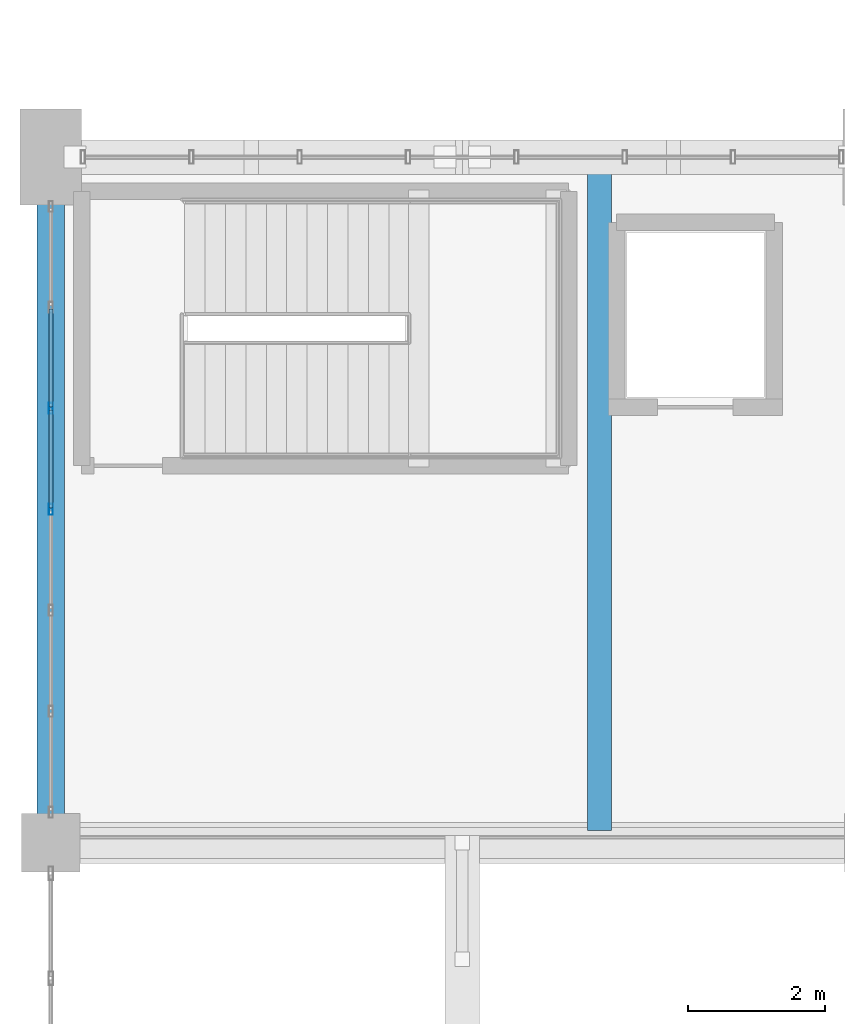
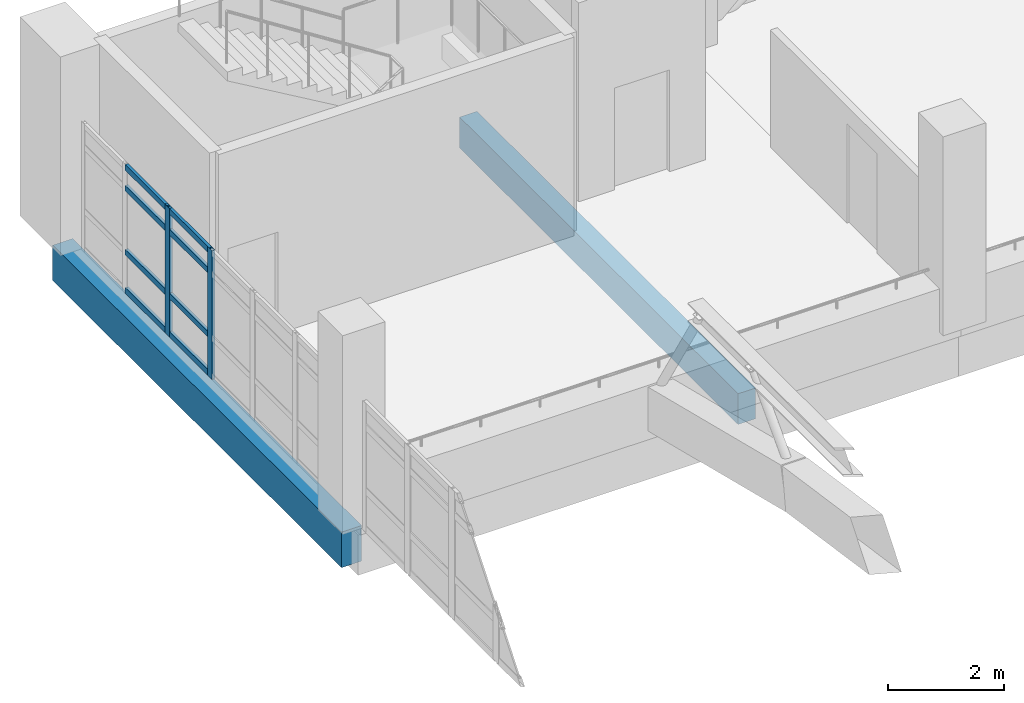
# One storey, part 27 of 161: 10 members, 2 beams, 1 element without a shape of its own.
"""IFC4 building model written with IfcOpenShell, lengths in metres."""

import ifcopenshell
import ifcopenshell.guid

model = None  # the IFC model being written
_history = None  # IfcOwnerHistory: only IFC2X3 demands one
_inside = {}  # id of a spatial element -> (the spatial element, [elements in it])
_under = {}  # id of a project, library or spatial element -> (it, [spatial elements below it])
_declared = {}  # id of a project -> (the project, [libraries it declares])
_typed = {}  # id of a type object -> (the type object, [elements of that type])
_made_of = {}  # id of a material, layer set ... -> (it, [elements and type objects made of it])


def new_model(schema):
    """Start an empty IFC model of exactly this schema.

    Asked for "IFC4X3", IfcOpenShell would pick the latest addendum, in which some entities
    have other attributes; the version numbers below select the first issue.
    IFC2X3 requires an IfcOwnerHistory on every rooted entity: one is made here for all.
    """
    global model, _history
    if schema == "IFC4X3":
        model = ifcopenshell.file(schema_version=(4, 3, 0, 0))
    else:
        model = ifcopenshell.file(schema=schema)
    _inside.clear()
    _under.clear()
    _declared.clear()
    _typed.clear()
    _made_of.clear()
    _history = None
    if model.schema == "IFC2X3":
        org = make("IfcOrganization", Name="unknown")
        user = make(
            "IfcPersonAndOrganization",
            ThePerson=make("IfcPerson", FamilyName="unknown"),
            TheOrganization=org,
        )
        app = make(
            "IfcApplication",
            ApplicationDeveloper=org,
            Version="unknown",
            ApplicationFullName="unknown",
            ApplicationIdentifier="unknown",
        )
        _history = make(
            "IfcOwnerHistory",
            OwningUser=user,
            OwningApplication=app,
            ChangeAction="ADDED",
            CreationDate=0,
        )
    return model


def make(cls, **values):
    """One entity of the class cls with the attributes given. An attribute that is None is left unset."""
    return model.create_entity(
        cls, **{name: value for name, value in values.items() if value is not None}
    )


def rooted(cls, **values):
    """An entity with a GlobalId (a new one), such as an element, a storey or a relation."""
    return make(cls, GlobalId=ifcopenshell.guid.new(), OwnerHistory=_history, **values)


def si_unit(unit_type, name, prefix=None):
    """IfcSIUnit, for example si_unit("LENGTHUNIT", "METRE", prefix="MILLI")."""
    return make("IfcSIUnit", UnitType=unit_type, Prefix=prefix, Name=name)


def assignment(units):
    """IfcUnitAssignment: the units of a project."""
    return None if units is None else make("IfcUnitAssignment", Units=units)


def point(xyz):
    """IfcCartesianPoint."""
    return None if xyz is None else make("IfcCartesianPoint", Coordinates=xyz)


def direction(xyz):
    """IfcDirection."""
    return None if xyz is None else make("IfcDirection", DirectionRatios=xyz)


def frame(location, z_axis=None, x_axis=None):
    """IfcAxis2Placement3D, a coordinate frame: its origin and axes. An axis left out is left unset."""
    return make(
        "IfcAxis2Placement3D",
        Location=point(location),
        Axis=direction(z_axis),
        RefDirection=direction(x_axis),
    )


def frame_2d(location, x_axis=None):
    """IfcAxis2Placement2D, a coordinate frame in the plane: its origin and x axis."""
    return make(
        "IfcAxis2Placement2D", Location=point(location), RefDirection=direction(x_axis)
    )


def origin():
    """The frame at (0, 0, 0) with its axes left unset."""
    return frame((0.0, 0.0, 0.0))


def origin_2d():
    """The frame at (0, 0) in the plane with its x axis left unset."""
    return frame_2d((0.0, 0.0))


def place(relative_to, where):
    """IfcLocalPlacement: puts the frame where relative to a parent placement (None: the world)."""
    return make(
        "IfcLocalPlacement", PlacementRelTo=relative_to, RelativePlacement=where
    )


def context(
    kind, dimensions, precision=None, world=None, true_north=None, identifier=None
):
    """IfcGeometricRepresentationContext, for example the 3D "Model" context."""
    return make(
        "IfcGeometricRepresentationContext",
        ContextIdentifier=identifier,
        ContextType=kind,
        CoordinateSpaceDimension=dimensions,
        Precision=precision,
        WorldCoordinateSystem=world,
        TrueNorth=true_north,
    )


def subcontext(parent, identifier, kind, view, scale=None):
    """IfcGeometricRepresentationSubContext, for example "Body" below "Model"."""
    return make(
        "IfcGeometricRepresentationSubContext",
        ContextIdentifier=identifier,
        ContextType=kind,
        ParentContext=parent,
        TargetScale=scale,
        TargetView=view,
    )


def project(units=None, contexts=None):
    """IfcProject with its units and contexts."""
    return rooted(
        "IfcProject",
        Name="project",
        RepresentationContexts=contexts,
        UnitsInContext=assignment(units),
    )


def spatial(cls, under=None, at=None, **own):
    """A site, building, storey or space (cls), placed at a placement, below another one or the project."""
    s = rooted(cls, ObjectPlacement=at, **own)
    if under is not None:
        _under.setdefault(under.id(), (under, []))[1].append(s)
    return s


def profile(cls, at=None, kind="AREA", **sizes):
    """A parametric profile (cls). Its sizes go by their IFC names, for example OverallWidth=200.0."""
    return make(cls, ProfileType=kind, Position=at, **sizes)


def rectangle(**sizes):
    """IfcRectangleProfileDef."""
    return profile("IfcRectangleProfileDef", **sizes)


def hollow_rectangle(**sizes):
    """IfcRectangleHollowProfileDef."""
    return profile("IfcRectangleHollowProfileDef", **sizes)


def extrude(swept, where, along, depth):
    """IfcExtrudedAreaSolid: the profile swept, set in the frame where, extruded along a direction by depth."""
    return make(
        "IfcExtrudedAreaSolid",
        SweptArea=swept,
        Position=where,
        ExtrudedDirection=direction(along),
        Depth=depth,
    )


def shape(context_of_items, identifier, shape_type, items):
    """IfcShapeRepresentation: the items that make up one representation, for example the "Body"."""
    return make(
        "IfcShapeRepresentation",
        ContextOfItems=context_of_items,
        RepresentationIdentifier=identifier,
        RepresentationType=shape_type,
        Items=items,
    )


def material(Name=None, Category=None):
    """IfcMaterial."""
    return make("IfcMaterial", Name=Name, Category=Category)


def layer(
    of_material, thickness, ventilated=None, Name=None, Category=None, Priority=None
):
    """IfcMaterialLayer: one layer of a wall or slab, of a material (None: an air gap)."""
    return make(
        "IfcMaterialLayer",
        Material=of_material,
        LayerThickness=thickness,
        IsVentilated=ventilated,
        Name=Name,
        Category=Category,
        Priority=Priority,
    )


def layer_set(layers, Name=None):
    """IfcMaterialLayerSet."""
    return make("IfcMaterialLayerSet", MaterialLayers=layers, LayerSetName=Name)


def material_profile(
    of_material, cross_section, Name=None, Category=None, Priority=None
):
    """IfcMaterialProfile: a cross section and its material."""
    return make(
        "IfcMaterialProfile",
        Name=Name,
        Material=of_material,
        Profile=cross_section,
        Priority=Priority,
        Category=Category,
    )


def profile_set(profiles, Name=None, composite=None):
    """IfcMaterialProfileSet."""
    return make(
        "IfcMaterialProfileSet",
        Name=Name,
        MaterialProfiles=profiles,
        CompositeProfile=composite,
    )


def made_of(thing, what):
    """Note that an element or type object is made of a material, layer set ...; save() writes the relation."""
    if what is not None:
        _made_of.setdefault(what.id(), (what, []))[1].append(thing)
    return thing


def type_object(cls, material=None, **own):
    """A type object (cls), such as IfcWallType, which elements share."""
    return made_of(rooted(cls, **own), material)


def element(
    cls,
    number,
    at=None,
    inside=None,
    cuts=None,
    type_object=None,
    material=None,
    context=None,
    identifier="Body",
    shape_type=None,
    held_by="IfcProductDefinitionShape",
    body=None,
    shapes=None,
    **own,
):
    """One element of the class cls, such as IfcWall. Its Tag is "e" and its number.

    at: its placement. inside: the storey or other place that contains it. cuts: it is an
    opening in that element (IfcRelVoidsElement). A single representation is given by context,
    identifier, shape_type and body (its items); several are given by shapes. held_by: the class
    of the entity that holds the representations. save() writes the other relations.
    """
    e = rooted(cls, Tag="e%d" % number, ObjectPlacement=at, **own)
    if body is not None:
        shapes = [shape(context, identifier, shape_type, body)]
    if shapes is not None:
        e.Representation = make(held_by, Representations=shapes)
    if inside is not None:
        _inside.setdefault(inside.id(), (inside, []))[1].append(e)
    if cuts is not None:
        rooted(
            "IfcRelVoidsElement", RelatingBuildingElement=cuts, RelatedOpeningElement=e
        )
    if type_object is not None:
        _typed.setdefault(type_object.id(), (type_object, []))[1].append(e)
    return made_of(e, material)


def aggregate(whole, parts):
    """IfcRelAggregates: a whole, such as a stair, and the parts it consists of."""
    return rooted("IfcRelAggregates", RelatingObject=whole, RelatedObjects=parts)


def save(model, path):
    """Write the relations noted so far, then the file.

    IfcRelAggregates (storeys below a building ...), IfcRelContainedInSpatialStructure (elements
    in a storey), IfcRelDefinesByType, IfcRelAssociatesMaterial and IfcRelDeclares: one each for
    every whole, place, type object, material and project.
    """
    for whole, parts in _under.values():
        aggregate(whole, parts)
    for where, things in _inside.values():
        rooted(
            "IfcRelContainedInSpatialStructure",
            RelatedElements=things,
            RelatingStructure=where,
        )
    for kind, things in _typed.values():
        rooted("IfcRelDefinesByType", RelatedObjects=things, RelatingType=kind)
    for what, things in _made_of.values():
        rooted("IfcRelAssociatesMaterial", RelatedObjects=things, RelatingMaterial=what)
    for by, libraries in _declared.values():
        rooted("IfcRelDeclares", RelatingContext=by, RelatedDefinitions=libraries)
    model.write(path)


model = new_model("IFC4")

# Units and contexts
model_context = context("Model", 3, precision=1e-05, world=origin(), true_north=direction((0.0, 1.0)))
body_context = subcontext(model_context, "Body", "Model", "MODEL_VIEW")
ifc_project = project(units=[si_unit("LENGTHUNIT", "METRE"), si_unit("AREAUNIT", "SQUARE_METRE"), si_unit("VOLUMEUNIT", "CUBIC_METRE"), si_unit("PLANEANGLEUNIT", "RADIAN"), si_unit("MASSUNIT", "GRAM", prefix="KILO")], contexts=[model_context])

# Site, building, storey
site_placement = place(None, origin())
site = spatial("IfcSite", under=ifc_project, at=site_placement, CompositionType="ELEMENT")
building_placement = place(site_placement, origin())
building = spatial("IfcBuilding", under=site, at=building_placement, Name="Mersad Railyard Sports Hall", CompositionType="ELEMENT")
storey_placement = place(building_placement, frame((0.0, 0.0, 4.800048828125)))
storey = spatial("IfcBuildingStorey", under=building, at=storey_placement, Name="L01", CompositionType="ELEMENT", Elevation=4.800048828125)

# Curtain wall, members
ifc_material_1 = material(Name="Aluminium 6063-T6", Category="aluminium")
ifc_layer = layer(ifc_material_1, 0.159912109375)
ifc_layer_set = layer_set([ifc_layer], Name="Aluminium 6063-T6")
curtain_wall_type = type_object("IfcCurtainWallType", Name="ARC-CW-CW03", PredefinedType="USERDEFINED", material=ifc_layer_set)
curtain_wall_placement = place(storey_placement, origin())
curtain_wall = element("IfcCurtainWall", 1, at=curtain_wall_placement, inside=storey, type_object=curtain_wall_type, Name="Curtain wall CW03-0025", ObjectType="CURTAIN WALL", PredefinedType="USERDEFINED")
ifc_material_profile_1 = material_profile(ifc_material_1, hollow_rectangle(XDim=0.06005859375, YDim=0.159912109375, WallThickness=0.00390625, at=origin_2d()), Name="AL MULLION 60x160x4")
ifc_profile_set_1 = profile_set([ifc_material_profile_1], Name="Aluminium 6063-T6")
member_type_1 = type_object("IfcMemberType", Name="ARC-CW-MUL01", PredefinedType="MULLION", material=ifc_profile_set_1)
member_1_placement = place(storey_placement, frame((7.0, 48.362548828125, -0.02001953125), z_axis=(0.0, 0.0, 1.0), x_axis=(1.0, 0.0, 0.0)))
member_1 = element("IfcMember", 2, at=member_1_placement, type_object=member_type_1, Name="CW03 Mullion 4", PredefinedType="MULLION", context=body_context, shape_type="SweptSolid", body=[
    extrude(hollow_rectangle(XDim=0.06005859375, YDim=0.159912109375, WallThickness=0.00390625, at=origin_2d()), origin(), (0.0, 0.0, 1.0), 2.719970703125),
])
member_2_placement = place(storey_placement, frame((7.0, 49.8349609375, -0.02001953125), z_axis=(0.0, 0.0, 1.0), x_axis=(1.0, 0.0, 0.0)))
member_2 = element("IfcMember", 3, at=member_2_placement, type_object=member_type_1, Name="CW03 Mullion 5", PredefinedType="MULLION", context=body_context, shape_type="SweptSolid", body=[
    extrude(hollow_rectangle(XDim=0.06005859375, YDim=0.159912109375, WallThickness=0.00390625, at=origin_2d()), origin(), (0.0, 0.0, 1.0), 2.719970703125),
])
ifc_material_profile_2 = material_profile(ifc_material_1, hollow_rectangle(XDim=0.06005859375, YDim=0.1201171875, WallThickness=0.00390625, at=origin_2d()), Name="AL TRANSOM 60x120x4")
ifc_profile_set_2 = profile_set([ifc_material_profile_2], Name="Aluminium 6063-T6")
member_type_2 = type_object("IfcMemberType", Name="ARC-CW-TRN01", PredefinedType="USERDEFINED", material=ifc_profile_set_2)
member_3_placement = place(storey_placement, frame((7.0, 48.382568359375, 0.0400390625), z_axis=(0.0, 1.0, 0.0), x_axis=(-1.0, 0.0, 0.0)))
member_3 = element("IfcMember", 4, at=member_3_placement, type_object=member_type_2, Name="CW03 Transom 1-4", ObjectType="TRANSOM", PredefinedType="USERDEFINED", context=body_context, shape_type="SweptSolid", body=[
    extrude(hollow_rectangle(XDim=0.06005859375, YDim=0.1201171875, WallThickness=0.00390625, at=origin_2d()), origin(), (0.0, 0.0, 1.0), 1.432373046875),
])
member_4_placement = place(storey_placement, frame((7.0, 49.85498046875, 0.0400390625), z_axis=(0.0, 1.0, 0.0), x_axis=(-1.0, 0.0, 0.0)))
member_4 = element("IfcMember", 5, at=member_4_placement, type_object=member_type_2, Name="CW03 Transom 1-5", ObjectType="TRANSOM", PredefinedType="USERDEFINED", context=body_context, shape_type="SweptSolid", body=[
    extrude(hollow_rectangle(XDim=0.06005859375, YDim=0.1201171875, WallThickness=0.00390625, at=origin_2d()), origin(), (0.0, 0.0, 1.0), 1.4326171875),
])
member_5_placement = place(storey_placement, frame((7.0, 48.382568359375, 0.849853515625), z_axis=(0.0, 1.0, 0.0), x_axis=(-1.0, 0.0, 0.0)))
member_5 = element("IfcMember", 6, at=member_5_placement, type_object=member_type_2, Name="CW03 Transom 2-4", ObjectType="TRANSOM", PredefinedType="USERDEFINED", context=body_context, shape_type="SweptSolid", body=[
    extrude(hollow_rectangle(XDim=0.06005859375, YDim=0.1201171875, WallThickness=0.00390625, at=origin_2d()), origin(), (0.0, 0.0, 1.0), 1.432373046875),
])
member_6_placement = place(storey_placement, frame((7.0, 49.85498046875, 0.849853515625), z_axis=(0.0, 1.0, 0.0), x_axis=(-1.0, 0.0, 0.0)))
member_6 = element("IfcMember", 7, at=member_6_placement, type_object=member_type_2, Name="CW03 Transom 2-5", ObjectType="TRANSOM", PredefinedType="USERDEFINED", context=body_context, shape_type="SweptSolid", body=[
    extrude(hollow_rectangle(XDim=0.06005859375, YDim=0.1201171875, WallThickness=0.00390625, at=origin_2d()), origin(), (0.0, 0.0, 1.0), 1.4326171875),
])
member_7_placement = place(storey_placement, frame((7.0, 48.382568359375, 2.199951171875), z_axis=(0.0, 1.0, 0.0), x_axis=(-1.0, 0.0, 0.0)))
member_7 = element("IfcMember", 8, at=member_7_placement, type_object=member_type_2, Name="CW03 Transom 3-4", ObjectType="TRANSOM", PredefinedType="USERDEFINED", context=body_context, shape_type="SweptSolid", body=[
    extrude(hollow_rectangle(XDim=0.06005859375, YDim=0.1201171875, WallThickness=0.00390625, at=origin_2d()), origin(), (0.0, 0.0, 1.0), 1.432373046875),
])
member_8_placement = place(storey_placement, frame((7.0, 49.85498046875, 2.199951171875), z_axis=(0.0, 1.0, 0.0), x_axis=(-1.0, 0.0, 0.0)))
member_8 = element("IfcMember", 9, at=member_8_placement, type_object=member_type_2, Name="CW03 Transom 3-5", ObjectType="TRANSOM", PredefinedType="USERDEFINED", context=body_context, shape_type="SweptSolid", body=[
    extrude(hollow_rectangle(XDim=0.06005859375, YDim=0.1201171875, WallThickness=0.00390625, at=origin_2d()), origin(), (0.0, 0.0, 1.0), 1.4326171875),
])
member_9_placement = place(storey_placement, frame((7.0, 48.382568359375, 2.639892578125), z_axis=(0.0, 1.0, 0.0), x_axis=(-1.0, 0.0, 0.0)))
member_9 = element("IfcMember", 10, at=member_9_placement, type_object=member_type_2, Name="CW03 Transom 4-4", ObjectType="TRANSOM", PredefinedType="USERDEFINED", context=body_context, shape_type="SweptSolid", body=[
    extrude(hollow_rectangle(XDim=0.06005859375, YDim=0.1201171875, WallThickness=0.00390625, at=origin_2d()), origin(), (0.0, 0.0, 1.0), 1.432373046875),
])
member_10_placement = place(storey_placement, frame((7.0, 49.85498046875, 2.639892578125), z_axis=(0.0, 1.0, 0.0), x_axis=(-1.0, 0.0, 0.0)))
member_10 = element("IfcMember", 11, at=member_10_placement, type_object=member_type_2, Name="CW03 Transom 4-5", ObjectType="TRANSOM", PredefinedType="USERDEFINED", context=body_context, shape_type="SweptSolid", body=[
    extrude(hollow_rectangle(XDim=0.06005859375, YDim=0.1201171875, WallThickness=0.00390625, at=origin_2d()), origin(), (0.0, 0.0, 1.0), 1.4326171875),
])
aggregate(curtain_wall, [member_1, member_2, member_3, member_4, member_5, member_6, member_7, member_8, member_9, member_10])

# Beams
ifc_material_2 = material(Name="Concrete C40/50", Category="concrete")
ifc_material_profile_3 = material_profile(ifc_material_2, rectangle(XDim=0.39990234375, YDim=0.75, at=origin_2d()), Name="RC 400x750")
ifc_profile_set_3 = profile_set([ifc_material_profile_3], Name="Concrete C40/50")
beam_type_1 = type_object("IfcBeamType", Name="STR-BM-B01", PredefinedType="BEAM", material=ifc_profile_set_3)
beam_1_placement = place(storey_placement, frame((7.0, 43.5, -0.66015625), z_axis=(0.0, 1.0, 0.0), x_axis=(-1.0, 0.0, 0.0)))
element("IfcBeam", 12, at=beam_1_placement, inside=storey, type_object=beam_type_1, Name="Beam B01-0321", PredefinedType="BEAM", context=body_context, shape_type="SweptSolid", body=[
    extrude(rectangle(XDim=0.39990234375, YDim=0.75, at=origin_2d()), origin(), (0.0, 0.0, 1.0), 10.0),
])
ifc_material_profile_4 = material_profile(ifc_material_2, rectangle(XDim=0.35009765625, YDim=0.64990234375, at=origin_2d()), Name="RC 350x650")
ifc_profile_set_4 = profile_set([ifc_material_profile_4], Name="Concrete C40/50")
beam_type_2 = type_object("IfcBeamType", Name="STR-BM-J01", PredefinedType="JOIST", material=ifc_profile_set_4)
beam_2_placement = place(storey_placement, frame((15.0, 43.679931640625, -0.60498046875), z_axis=(0.0, 1.0, 0.0), x_axis=(-1.0, 0.0, 0.0)))
element("IfcBeam", 13, at=beam_2_placement, inside=storey, type_object=beam_type_2, Name="Beam J01-0415", PredefinedType="JOIST", context=body_context, shape_type="SweptSolid", body=[
    extrude(rectangle(XDim=0.35009765625, YDim=0.64990234375, at=origin_2d()), origin(), (0.0, 0.0, 1.0), 9.64013671875),
])

save(model, "model.ifc")
